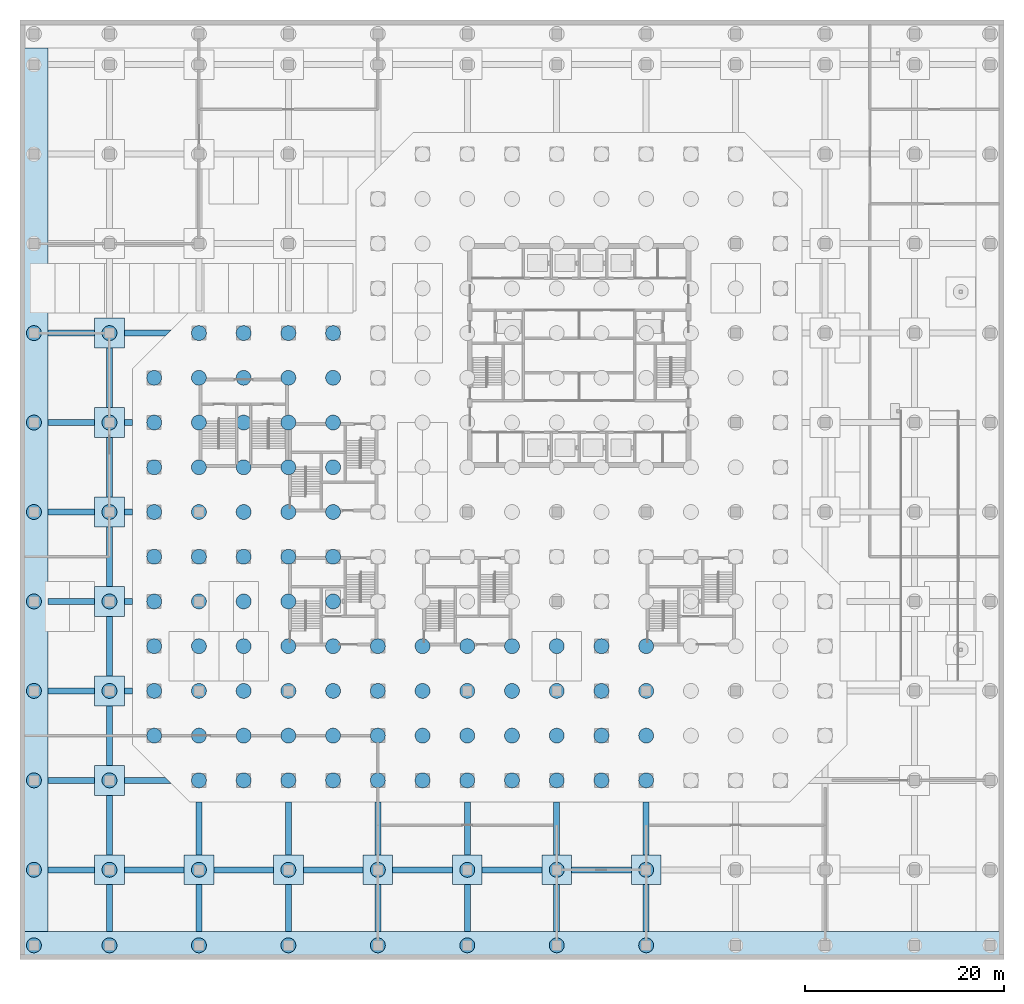
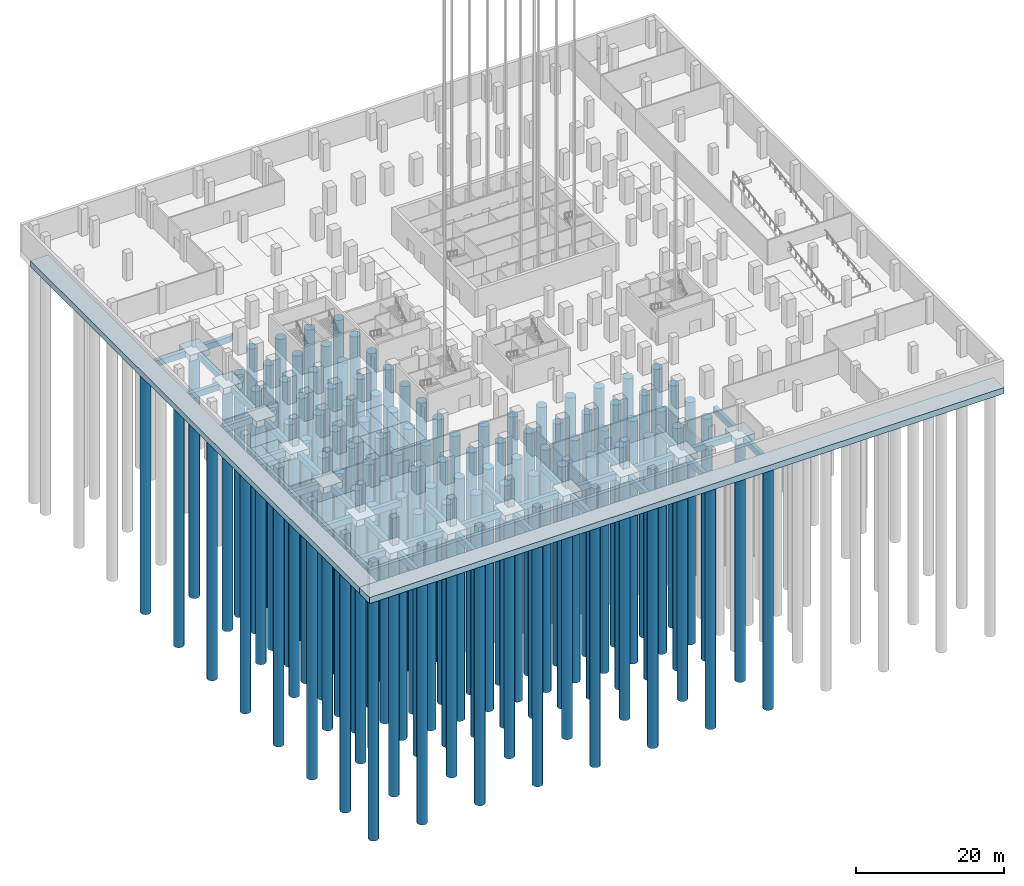
# One storey, part 1 of 37: 109 piles, 53 footings.
"""IFC4 building model written with IfcOpenShell, lengths in metres."""

from ifc_helpers import new_model, si_unit, direction, frame, origin, origin_2d, place, context, subcontext, project, spatial, polyline, rectangle, circle, outline, extrude, material, layer, layer_set, material_profile, profile_set, type_object, element, save


model = new_model("IFC4")

# Units and contexts
model_context = context("Model", 3, precision=1e-05, world=origin(), true_north=direction((0.0, 1.0)))
body_context = subcontext(model_context, "Body", "Model", "MODEL_VIEW")
ifc_project = project(units=[si_unit("LENGTHUNIT", "METRE"), si_unit("AREAUNIT", "SQUARE_METRE"), si_unit("VOLUMEUNIT", "CUBIC_METRE"), si_unit("PLANEANGLEUNIT", "RADIAN"), si_unit("MASSUNIT", "GRAM", prefix="KILO")], contexts=[model_context])

# Site, building, storey
site_placement = place(None, origin())
site = spatial("IfcSite", under=ifc_project, at=site_placement, CompositionType="ELEMENT")
building_placement = place(site_placement, origin())
building = spatial("IfcBuilding", under=site, at=building_placement, Name="Quoin Convention Tower", CompositionType="ELEMENT")
storey_placement = place(building_placement, frame((0.0, 0.0, -9.0)))
storey = spatial("IfcBuildingStorey", under=building, at=storey_placement, Name="B2", CompositionType="ELEMENT", Elevation=-9.0)

# Footings
ifc_material_1 = material(Name="Concrete C50", Category="concrete")
footing_type_1 = type_object("IfcFootingType", Name="PILE CAP 3000x3000x1000 C50", PredefinedType="PILE_CAP", material=ifc_material_1)
for number, where, z_axis, x_axis, name in (
    (1, (9.0, 9.0, -1.39990234375), (0.0, 0.0, 1.0), (1.0, 0.0, 0.0), "ftg-pad-9000_9000"),
    (2, (9.0, 18.0, -1.39990234375), (0.0, 0.0, 1.0), (1.0, 0.0, 0.0), "ftg-pad-9000_18000"),
    (3, (9.0, 27.0, -1.39990234375), (0.0, 0.0, 1.0), (1.0, 0.0, 0.0), "ftg-pad-9000_27000"),
    (4, (9.0, 36.0, -1.39990234375), (0.0, 0.0, 1.0), (1.0, 0.0, 0.0), "ftg-pad-9000_36000"),
    (5, (9.0, 45.0, -1.39990234375), (0.0, 0.0, 1.0), (1.0, 0.0, 0.0), "ftg-pad-9000_45000"),
    (6, (9.0, 54.0, -1.39990234375), (0.0, 0.0, 1.0), (1.0, 0.0, 0.0), "ftg-pad-9000_54000"),
    (7, (9.0, 63.0, -1.39990234375), (0.0, 0.0, 1.0), (1.0, 0.0, 0.0), "ftg-pad-9000_63000"),
    (8, (18.0, 9.0, -1.39990234375), (0.0, 0.0, 1.0), (1.0, 0.0, 0.0), "ftg-pad-18000_9000"),
    (9, (27.0, 9.0, -1.39990234375), (0.0, 0.0, 1.0), (1.0, 0.0, 0.0), "ftg-pad-27000_9000"),
    (10, (36.0, 9.0, -1.39990234375), (0.0, 0.0, 1.0), (1.0, 0.0, 0.0), "ftg-pad-36000_9000"),
    (11, (45.0, 9.0, -1.39990234375), (0.0, 0.0, 1.0), (1.0, 0.0, 0.0), "ftg-pad-45000_9000"),
    (12, (54.0, 9.0, -1.39990234375), (0.0, 0.0, 1.0), (1.0, 0.0, 0.0), "ftg-pad-54000_9000"),
    (13, (63.0, 9.0, -1.39990234375), (0.0, 0.0, 1.0), (1.0, 0.0, 0.0), "ftg-pad-63000_9000"),
):
    element("IfcFooting", number, at=place(storey_placement, frame(where, z_axis=z_axis, x_axis=x_axis)), inside=storey, type_object=footing_type_1, Name=name, PredefinedType="PILE_CAP", context=body_context, shape_type="SweptSolid", body=[
        extrude(rectangle(XDim=3.0, YDim=3.0, at=origin_2d()), origin(), (0.0, 0.0, 1.0), 1.0),
    ])

# Piles
ifc_material_2 = material(Name="Concrete C40", Category="concrete")
ifc_material_profile = material_profile(ifc_material_2, circle(Radius=0.75, at=origin_2d()), Name="D1500")
ifc_profile_set = profile_set([ifc_material_profile], Name="Concrete C40")
pile_type = type_object("IfcPileType", Name="PILE D1500 C40", PredefinedType="BORED", material=ifc_profile_set)
for number, where, z_axis, x_axis, name in (
    (14, (13.5, 22.5, -3.39990234375), (0.0, 0.0, -1.0), (1.0, 0.0, 0.0), "pile-R13500_22500"),
    (15, (13.5, 27.0, -3.39990234375), (0.0, 0.0, -1.0), (1.0, 0.0, 0.0), "pile-R13500_27000"),
    (16, (13.5, 31.5, -3.39990234375), (0.0, 0.0, -1.0), (1.0, 0.0, 0.0), "pile-R13500_31500"),
    (17, (13.5, 36.0, -3.39990234375), (0.0, 0.0, -1.0), (1.0, 0.0, 0.0), "pile-R13500_36000"),
    (18, (13.5, 40.5, -3.39990234375), (0.0, 0.0, -1.0), (1.0, 0.0, 0.0), "pile-R13500_40500"),
    (19, (13.5, 45.0, -3.39990234375), (0.0, 0.0, -1.0), (1.0, 0.0, 0.0), "pile-R13500_45000"),
    (20, (13.5, 49.5, -3.39990234375), (0.0, 0.0, -1.0), (1.0, 0.0, 0.0), "pile-R13500_49500"),
    (21, (13.5, 54.0, -3.39990234375), (0.0, 0.0, -1.0), (1.0, 0.0, 0.0), "pile-R13500_54000"),
    (22, (13.5, 58.5, -3.39990234375), (0.0, 0.0, -1.0), (1.0, 0.0, 0.0), "pile-R13500_58500"),
    (23, (18.0, 18.0, -3.39990234375), (0.0, 0.0, -1.0), (1.0, 0.0, 0.0), "pile-R18000_18000"),
    (24, (18.0, 22.5, -3.39990234375), (0.0, 0.0, -1.0), (1.0, 0.0, 0.0), "pile-R18000_22500"),
    (25, (18.0, 27.0, -3.39990234375), (0.0, 0.0, -1.0), (1.0, 0.0, 0.0), "pile-R18000_27000"),
    (26, (18.0, 31.5, -3.39990234375), (0.0, 0.0, -1.0), (1.0, 0.0, 0.0), "pile-R18000_31500"),
    (27, (18.0, 36.0, -3.39990234375), (0.0, 0.0, -1.0), (1.0, 0.0, 0.0), "pile-R18000_36000"),
    (28, (18.0, 40.5, -3.39990234375), (0.0, 0.0, -1.0), (1.0, 0.0, 0.0), "pile-R18000_40500"),
    (29, (18.0, 45.0, -3.39990234375), (0.0, 0.0, -1.0), (1.0, 0.0, 0.0), "pile-R18000_45000"),
    (30, (18.0, 49.5, -3.39990234375), (0.0, 0.0, -1.0), (1.0, 0.0, 0.0), "pile-R18000_49500"),
    (31, (18.0, 54.0, -3.39990234375), (0.0, 0.0, -1.0), (1.0, 0.0, 0.0), "pile-R18000_54000"),
    (32, (18.0, 58.5, -3.39990234375), (0.0, 0.0, -1.0), (1.0, 0.0, 0.0), "pile-R18000_58500"),
    (33, (18.0, 63.0, -3.39990234375), (0.0, 0.0, -1.0), (1.0, 0.0, 0.0), "pile-R18000_63000"),
    (34, (22.5, 18.0, -3.39990234375), (0.0, 0.0, -1.0), (1.0, 0.0, 0.0), "pile-R22500_18000"),
    (35, (22.5, 22.5, -3.39990234375), (0.0, 0.0, -1.0), (1.0, 0.0, 0.0), "pile-R22500_22500"),
    (36, (22.5, 27.0, -3.39990234375), (0.0, 0.0, -1.0), (1.0, 0.0, 0.0), "pile-R22500_27000"),
    (37, (22.5, 31.5, -3.39990234375), (0.0, 0.0, -1.0), (1.0, 0.0, 0.0), "pile-R22500_31500"),
    (38, (22.5, 36.0, -3.39990234375), (0.0, 0.0, -1.0), (1.0, 0.0, 0.0), "pile-R22500_36000"),
    (39, (22.5, 40.5, -3.39990234375), (0.0, 0.0, -1.0), (1.0, 0.0, 0.0), "pile-R22500_40500"),
    (40, (22.5, 45.0, -3.39990234375), (0.0, 0.0, -1.0), (1.0, 0.0, 0.0), "pile-R22500_45000"),
    (41, (22.5, 49.5, -3.39990234375), (0.0, 0.0, -1.0), (1.0, 0.0, 0.0), "pile-R22500_49500"),
    (42, (22.5, 54.0, -3.39990234375), (0.0, 0.0, -1.0), (1.0, 0.0, 0.0), "pile-R22500_54000"),
    (43, (22.5, 58.5, -3.39990234375), (0.0, 0.0, -1.0), (1.0, 0.0, 0.0), "pile-R22500_58500"),
    (44, (22.5, 63.0, -3.39990234375), (0.0, 0.0, -1.0), (1.0, 0.0, 0.0), "pile-R22500_63000"),
    (45, (27.0, 18.0, -3.39990234375), (0.0, 0.0, -1.0), (1.0, 0.0, 0.0), "pile-R27000_18000"),
    (46, (27.0, 22.5, -3.39990234375), (0.0, 0.0, -1.0), (1.0, 0.0, 0.0), "pile-R27000_22500"),
    (47, (27.0, 27.0, -3.39990234375), (0.0, 0.0, -1.0), (1.0, 0.0, 0.0), "pile-R27000_27000"),
    (48, (27.0, 31.5, -3.39990234375), (0.0, 0.0, -1.0), (1.0, 0.0, 0.0), "pile-R27000_31500"),
    (49, (27.0, 36.0, -3.39990234375), (0.0, 0.0, -1.0), (1.0, 0.0, 0.0), "pile-R27000_36000"),
    (50, (27.0, 40.5, -3.39990234375), (0.0, 0.0, -1.0), (1.0, 0.0, 0.0), "pile-R27000_40500"),
    (51, (27.0, 45.0, -3.39990234375), (0.0, 0.0, -1.0), (1.0, 0.0, 0.0), "pile-R27000_45000"),
    (52, (27.0, 49.5, -3.39990234375), (0.0, 0.0, -1.0), (1.0, 0.0, 0.0), "pile-R27000_49500"),
    (53, (27.0, 54.0, -3.39990234375), (0.0, 0.0, -1.0), (1.0, 0.0, 0.0), "pile-R27000_54000"),
    (54, (27.0, 58.5, -3.39990234375), (0.0, 0.0, -1.0), (1.0, 0.0, 0.0), "pile-R27000_58500"),
    (55, (27.0, 63.0, -3.39990234375), (0.0, 0.0, -1.0), (1.0, 0.0, 0.0), "pile-R27000_63000"),
    (56, (31.5, 18.0, -3.39990234375), (0.0, 0.0, -1.0), (1.0, 0.0, 0.0), "pile-R31500_18000"),
    (57, (31.5, 22.5, -3.39990234375), (0.0, 0.0, -1.0), (1.0, 0.0, 0.0), "pile-R31500_22500"),
    (58, (31.5, 27.0, -3.39990234375), (0.0, 0.0, -1.0), (1.0, 0.0, 0.0), "pile-R31500_27000"),
    (59, (31.5, 31.5, -3.39990234375), (0.0, 0.0, -1.0), (1.0, 0.0, 0.0), "pile-R31500_31500"),
    (60, (31.5, 36.0, -3.39990234375), (0.0, 0.0, -1.0), (1.0, 0.0, 0.0), "pile-R31500_36000"),
    (61, (31.5, 40.5, -3.39990234375), (0.0, 0.0, -1.0), (1.0, 0.0, 0.0), "pile-R31500_40500"),
    (62, (31.5, 45.0, -3.39990234375), (0.0, 0.0, -1.0), (1.0, 0.0, 0.0), "pile-R31500_45000"),
    (63, (31.5, 49.5, -3.39990234375), (0.0, 0.0, -1.0), (1.0, 0.0, 0.0), "pile-R31500_49500"),
    (64, (31.5, 54.0, -3.39990234375), (0.0, 0.0, -1.0), (1.0, 0.0, 0.0), "pile-R31500_54000"),
    (65, (31.5, 58.5, -3.39990234375), (0.0, 0.0, -1.0), (1.0, 0.0, 0.0), "pile-R31500_58500"),
    (66, (31.5, 63.0, -3.39990234375), (0.0, 0.0, -1.0), (1.0, 0.0, 0.0), "pile-R31500_63000"),
    (67, (36.0, 18.0, -3.39990234375), (0.0, 0.0, -1.0), (1.0, 0.0, 0.0), "pile-R36000_18000"),
    (68, (36.0, 22.5, -3.39990234375), (0.0, 0.0, -1.0), (1.0, 0.0, 0.0), "pile-R36000_22500"),
    (69, (36.0, 27.0, -3.39990234375), (0.0, 0.0, -1.0), (1.0, 0.0, 0.0), "pile-R36000_27000"),
    (70, (36.0, 31.5, -3.39990234375), (0.0, 0.0, -1.0), (1.0, 0.0, 0.0), "pile-R36000_31500"),
    (71, (40.5, 18.0, -3.39990234375), (0.0, 0.0, -1.0), (1.0, 0.0, 0.0), "pile-R40500_18000"),
    (72, (40.5, 22.5, -3.39990234375), (0.0, 0.0, -1.0), (1.0, 0.0, 0.0), "pile-R40500_22500"),
    (73, (40.5, 27.0, -3.39990234375), (0.0, 0.0, -1.0), (1.0, 0.0, 0.0), "pile-R40500_27000"),
    (74, (40.5, 31.5, -3.39990234375), (0.0, 0.0, -1.0), (1.0, 0.0, 0.0), "pile-R40500_31500"),
    (75, (45.0, 18.0, -3.39990234375), (0.0, 0.0, -1.0), (1.0, 0.0, 0.0), "pile-R45000_18000"),
    (76, (45.0, 22.5, -3.39990234375), (0.0, 0.0, -1.0), (1.0, 0.0, 0.0), "pile-R45000_22500"),
    (77, (45.0, 27.0, -3.39990234375), (0.0, 0.0, -1.0), (1.0, 0.0, 0.0), "pile-R45000_27000"),
    (78, (45.0, 31.5, -3.39990234375), (0.0, 0.0, -1.0), (1.0, 0.0, 0.0), "pile-R45000_31500"),
    (79, (49.5, 18.0, -3.39990234375), (0.0, 0.0, -1.0), (1.0, 0.0, 0.0), "pile-R49500_18000"),
    (80, (49.5, 22.5, -3.39990234375), (0.0, 0.0, -1.0), (1.0, 0.0, 0.0), "pile-R49500_22500"),
    (81, (49.5, 27.0, -3.39990234375), (0.0, 0.0, -1.0), (1.0, 0.0, 0.0), "pile-R49500_27000"),
    (82, (49.5, 31.5, -3.39990234375), (0.0, 0.0, -1.0), (1.0, 0.0, 0.0), "pile-R49500_31500"),
    (83, (54.0, 18.0, -3.39990234375), (0.0, 0.0, -1.0), (1.0, 0.0, 0.0), "pile-R54000_18000"),
    (84, (54.0, 22.5, -3.39990234375), (0.0, 0.0, -1.0), (1.0, 0.0, 0.0), "pile-R54000_22500"),
    (85, (54.0, 27.0, -3.39990234375), (0.0, 0.0, -1.0), (1.0, 0.0, 0.0), "pile-R54000_27000"),
    (86, (54.0, 31.5, -3.39990234375), (0.0, 0.0, -1.0), (1.0, 0.0, 0.0), "pile-R54000_31500"),
    (87, (58.5, 18.0, -3.39990234375), (0.0, 0.0, -1.0), (1.0, 0.0, 0.0), "pile-R58500_18000"),
    (88, (58.5, 22.5, -3.39990234375), (0.0, 0.0, -1.0), (1.0, 0.0, 0.0), "pile-R58500_22500"),
    (89, (58.5, 27.0, -3.39990234375), (0.0, 0.0, -1.0), (1.0, 0.0, 0.0), "pile-R58500_27000"),
    (90, (58.5, 31.5, -3.39990234375), (0.0, 0.0, -1.0), (1.0, 0.0, 0.0), "pile-R58500_31500"),
    (91, (63.0, 18.0, -3.39990234375), (0.0, 0.0, -1.0), (1.0, 0.0, 0.0), "pile-R63000_18000"),
    (92, (63.0, 22.5, -3.39990234375), (0.0, 0.0, -1.0), (1.0, 0.0, 0.0), "pile-R63000_22500"),
    (93, (63.0, 27.0, -3.39990234375), (0.0, 0.0, -1.0), (1.0, 0.0, 0.0), "pile-R63000_27000"),
    (94, (63.0, 31.5, -3.39990234375), (0.0, 0.0, -1.0), (1.0, 0.0, 0.0), "pile-R63000_31500"),
    (95, (1.39990234375, 1.39990234375, -1.39990234375), (0.0, 0.0, -1.0), (1.0, 0.0, 0.0), "pile-E1400_1400"),
    (96, (9.0, 1.39990234375, -1.39990234375), (0.0, 0.0, -1.0), (1.0, 0.0, 0.0), "pile-E9000_1400"),
    (97, (18.0, 1.39990234375, -1.39990234375), (0.0, 0.0, -1.0), (1.0, 0.0, 0.0), "pile-E18000_1400"),
    (98, (27.0, 1.39990234375, -1.39990234375), (0.0, 0.0, -1.0), (1.0, 0.0, 0.0), "pile-E27000_1400"),
    (99, (36.0, 1.39990234375, -1.39990234375), (0.0, 0.0, -1.0), (1.0, 0.0, 0.0), "pile-E36000_1400"),
    (100, (45.0, 1.39990234375, -1.39990234375), (0.0, 0.0, -1.0), (1.0, 0.0, 0.0), "pile-E45000_1400"),
    (101, (54.0, 1.39990234375, -1.39990234375), (0.0, 0.0, -1.0), (1.0, 0.0, 0.0), "pile-E54000_1400"),
    (102, (63.0, 1.39990234375, -1.39990234375), (0.0, 0.0, -1.0), (1.0, 0.0, 0.0), "pile-E63000_1400"),
    (103, (1.39990234375, 9.0, -1.39990234375), (0.0, 0.0, -1.0), (1.0, 0.0, 0.0), "pile-E1400_9000"),
    (104, (1.39990234375, 18.0, -1.39990234375), (0.0, 0.0, -1.0), (1.0, 0.0, 0.0), "pile-E1400_18000"),
    (105, (1.39990234375, 27.0, -1.39990234375), (0.0, 0.0, -1.0), (1.0, 0.0, 0.0), "pile-E1400_27000"),
    (106, (1.39990234375, 36.0, -1.39990234375), (0.0, 0.0, -1.0), (1.0, 0.0, 0.0), "pile-E1400_36000"),
    (107, (1.39990234375, 45.0, -1.39990234375), (0.0, 0.0, -1.0), (1.0, 0.0, 0.0), "pile-E1400_45000"),
    (108, (1.39990234375, 54.0, -1.39990234375), (0.0, 0.0, -1.0), (1.0, 0.0, 0.0), "pile-E1400_54000"),
    (109, (1.39990234375, 63.0, -1.39990234375), (0.0, 0.0, -1.0), (1.0, 0.0, 0.0), "pile-E1400_63000"),
    (110, (9.0, 9.0, -1.39990234375), (0.0, 0.0, -1.0), (1.0, 0.0, 0.0), "pile-P9000_9000"),
    (111, (9.0, 18.0, -1.39990234375), (0.0, 0.0, -1.0), (1.0, 0.0, 0.0), "pile-P9000_18000"),
    (112, (9.0, 27.0, -1.39990234375), (0.0, 0.0, -1.0), (1.0, 0.0, 0.0), "pile-P9000_27000"),
    (113, (9.0, 36.0, -1.39990234375), (0.0, 0.0, -1.0), (1.0, 0.0, 0.0), "pile-P9000_36000"),
    (114, (9.0, 45.0, -1.39990234375), (0.0, 0.0, -1.0), (1.0, 0.0, 0.0), "pile-P9000_45000"),
    (115, (9.0, 54.0, -1.39990234375), (0.0, 0.0, -1.0), (1.0, 0.0, 0.0), "pile-P9000_54000"),
    (116, (9.0, 63.0, -1.39990234375), (0.0, 0.0, -1.0), (1.0, 0.0, 0.0), "pile-P9000_63000"),
    (117, (18.0, 9.0, -1.39990234375), (0.0, 0.0, -1.0), (1.0, 0.0, 0.0), "pile-P18000_9000"),
    (118, (27.0, 9.0, -1.39990234375), (0.0, 0.0, -1.0), (1.0, 0.0, 0.0), "pile-P27000_9000"),
    (119, (36.0, 9.0, -1.39990234375), (0.0, 0.0, -1.0), (1.0, 0.0, 0.0), "pile-P36000_9000"),
    (120, (45.0, 9.0, -1.39990234375), (0.0, 0.0, -1.0), (1.0, 0.0, 0.0), "pile-P45000_9000"),
    (121, (54.0, 9.0, -1.39990234375), (0.0, 0.0, -1.0), (1.0, 0.0, 0.0), "pile-P54000_9000"),
    (122, (63.0, 9.0, -1.39990234375), (0.0, 0.0, -1.0), (1.0, 0.0, 0.0), "pile-P63000_9000"),
):
    element("IfcPile", number, at=place(storey_placement, frame(where, z_axis=z_axis, x_axis=x_axis)), inside=storey, type_object=pile_type, Name=name, PredefinedType="BORED", context=body_context, shape_type="SweptSolid", body=[
        extrude(circle(Radius=0.75, at=origin_2d()), origin(), (0.0, 0.0, 1.0), 40.0),
    ])

# Footings
ifc_layer_1 = layer(ifc_material_1, 1.0)
ifc_layer_set_1 = layer_set([ifc_layer_1], Name="Concrete C50")
footing_type_2 = type_object("IfcFootingType", Name="STRIP FOOTING 2800 C50", PredefinedType="STRIP_FOOTING", material=ifc_layer_set_1)
footing_1_placement = place(storey_placement, frame((0.0, 0.0, -1.39990234375)))
element("IfcFooting", 123, at=footing_1_placement, inside=storey, type_object=footing_type_2, Name="ftg-strip-S", PredefinedType="STRIP_FOOTING", context=body_context, shape_type="SweptSolid", body=[
    extrude(outline(polyline([(0.0, 0.0), (99.0, 0.0), (99.0, 2.800048828125), (0.0, 2.800048828125), (0.0, 0.0)])), origin(), (0.0, 0.0, 1.0), 1.0),
])
footing_2_placement = place(storey_placement, frame((0.0, 0.0, -1.39990234375)))
element("IfcFooting", 124, at=footing_2_placement, inside=storey, type_object=footing_type_2, Name="ftg-strip-W", PredefinedType="STRIP_FOOTING", context=body_context, shape_type="SweptSolid", body=[
    extrude(outline(polyline([(0.0, 2.800048828125), (2.800048828125, 2.800048828125), (2.800048828125, 91.699951171875), (0.0, 91.699951171875), (0.0, 2.800048828125)])), origin(), (0.0, 0.0, 1.0), 1.0),
])
ifc_layer_2 = layer(ifc_material_1, 1.0)
ifc_layer_set_2 = layer_set([ifc_layer_2], Name="Concrete C50")
footing_type_3 = type_object("IfcFootingType", Name="TIE FOOTING 600 C50", PredefinedType="STRIP_FOOTING", material=ifc_layer_set_2)
footing_3_placement = place(storey_placement, frame((0.0, 0.0, -1.39990234375)))
element("IfcFooting", 125, at=footing_3_placement, inside=storey, type_object=footing_type_3, Name="ftg-tie-58500_9000", PredefinedType="STRIP_FOOTING", context=body_context, shape_type="SweptSolid", body=[
    extrude(outline(polyline([(61.5, 9.300048828125), (61.5, 8.699951171875), (55.5, 8.699951171875), (55.5, 9.300048828125), (61.5, 9.300048828125)])), origin(), (0.0, 0.0, 1.0), 1.0),
])
footing_4_placement = place(storey_placement, frame((0.0, 0.0, -1.39990234375)))
element("IfcFooting", 126, at=footing_4_placement, inside=storey, type_object=footing_type_3, Name="ftg-tie-49500_9000", PredefinedType="STRIP_FOOTING", context=body_context, shape_type="SweptSolid", body=[
    extrude(outline(polyline([(52.5, 9.300048828125), (52.5, 8.699951171875), (46.5, 8.699951171875), (46.5, 9.300048828125), (52.5, 9.300048828125)])), origin(), (0.0, 0.0, 1.0), 1.0),
])
footing_5_placement = place(storey_placement, frame((0.0, 0.0, -1.39990234375)))
element("IfcFooting", 127, at=footing_5_placement, inside=storey, type_object=footing_type_3, Name="ftg-tie-40500_9000", PredefinedType="STRIP_FOOTING", context=body_context, shape_type="SweptSolid", body=[
    extrude(outline(polyline([(43.5, 9.300048828125), (43.5, 8.699951171875), (37.5, 8.699951171875), (37.5, 9.300048828125), (43.5, 9.300048828125)])), origin(), (0.0, 0.0, 1.0), 1.0),
])
footing_6_placement = place(storey_placement, frame((0.0, 0.0, -1.39990234375)))
element("IfcFooting", 128, at=footing_6_placement, inside=storey, type_object=footing_type_3, Name="ftg-tie-31500_9000", PredefinedType="STRIP_FOOTING", context=body_context, shape_type="SweptSolid", body=[
    extrude(outline(polyline([(34.5, 9.300048828125), (34.5, 8.699951171875), (28.5, 8.699951171875), (28.5, 9.300048828125), (34.5, 9.300048828125)])), origin(), (0.0, 0.0, 1.0), 1.0),
])
footing_7_placement = place(storey_placement, frame((0.0, 0.0, -1.39990234375)))
element("IfcFooting", 129, at=footing_7_placement, inside=storey, type_object=footing_type_3, Name="ftg-tie-22500_9000", PredefinedType="STRIP_FOOTING", context=body_context, shape_type="SweptSolid", body=[
    extrude(outline(polyline([(25.5, 9.300048828125), (25.5, 8.699951171875), (19.5, 8.699951171875), (19.5, 9.300048828125), (25.5, 9.300048828125)])), origin(), (0.0, 0.0, 1.0), 1.0),
])
footing_8_placement = place(storey_placement, frame((0.0, 0.0, -1.39990234375)))
element("IfcFooting", 130, at=footing_8_placement, inside=storey, type_object=footing_type_3, Name="ftg-tie-13500_9000", PredefinedType="STRIP_FOOTING", context=body_context, shape_type="SweptSolid", body=[
    extrude(outline(polyline([(16.5, 9.300048828125), (16.5, 8.699951171875), (10.5, 8.699951171875), (10.5, 9.300048828125), (16.5, 9.300048828125)])), origin(), (0.0, 0.0, 1.0), 1.0),
])
footing_9_placement = place(storey_placement, frame((0.0, 0.0, -1.39990234375)))
element("IfcFooting", 131, at=footing_9_placement, inside=storey, type_object=footing_type_3, Name="ftg-tie-5150_9000", PredefinedType="STRIP_FOOTING", context=body_context, shape_type="SweptSolid", body=[
    extrude(outline(polyline([(7.5, 9.300048828125), (7.5, 8.699951171875), (2.800048828125, 8.699951171875), (2.800048828125, 9.300048828125), (7.5, 9.300048828125)])), origin(), (0.0, 0.0, 1.0), 1.0),
])
footing_10_placement = place(storey_placement, frame((0.0, 0.0, -1.39990234375)))
element("IfcFooting", 132, at=footing_10_placement, inside=storey, type_object=footing_type_3, Name="ftg-tie-9000_5150", PredefinedType="STRIP_FOOTING", context=body_context, shape_type="SweptSolid", body=[
    extrude(outline(polyline([(9.300048828125, 7.5), (9.300048828125, 2.800048828125), (8.699951171875, 2.800048828125), (8.699951171875, 7.5), (9.300048828125, 7.5)])), origin(), (0.0, 0.0, 1.0), 1.0),
])
footing_11_placement = place(storey_placement, frame((0.0, 0.0, -1.39990234375)))
element("IfcFooting", 133, at=footing_11_placement, inside=storey, type_object=footing_type_3, Name="ftg-tie-9000_13500", PredefinedType="STRIP_FOOTING", context=body_context, shape_type="SweptSolid", body=[
    extrude(outline(polyline([(9.300048828125, 16.5), (9.300048828125, 10.5), (8.699951171875, 10.5), (8.699951171875, 16.5), (9.300048828125, 16.5)])), origin(), (0.0, 0.0, 1.0), 1.0),
])
footing_12_placement = place(storey_placement, frame((0.0, 0.0, -1.39990234375)))
element("IfcFooting", 134, at=footing_12_placement, inside=storey, type_object=footing_type_3, Name="ftg-tie-9000_22500", PredefinedType="STRIP_FOOTING", context=body_context, shape_type="SweptSolid", body=[
    extrude(outline(polyline([(9.300048828125, 25.5), (9.300048828125, 19.5), (8.699951171875, 19.5), (8.699951171875, 25.5), (9.300048828125, 25.5)])), origin(), (0.0, 0.0, 1.0), 1.0),
])
footing_13_placement = place(storey_placement, frame((0.0, 0.0, -1.39990234375)))
element("IfcFooting", 135, at=footing_13_placement, inside=storey, type_object=footing_type_3, Name="ftg-tie-9000_31500", PredefinedType="STRIP_FOOTING", context=body_context, shape_type="SweptSolid", body=[
    extrude(outline(polyline([(9.300048828125, 34.5), (9.300048828125, 28.5), (8.699951171875, 28.5), (8.699951171875, 34.5), (9.300048828125, 34.5)])), origin(), (0.0, 0.0, 1.0), 1.0),
])
footing_14_placement = place(storey_placement, frame((0.0, 0.0, -1.39990234375)))
element("IfcFooting", 136, at=footing_14_placement, inside=storey, type_object=footing_type_3, Name="ftg-tie-9000_40500", PredefinedType="STRIP_FOOTING", context=body_context, shape_type="SweptSolid", body=[
    extrude(outline(polyline([(9.300048828125, 43.5), (9.300048828125, 37.5), (8.699951171875, 37.5), (8.699951171875, 43.5), (9.300048828125, 43.5)])), origin(), (0.0, 0.0, 1.0), 1.0),
])
footing_15_placement = place(storey_placement, frame((0.0, 0.0, -1.39990234375)))
element("IfcFooting", 137, at=footing_15_placement, inside=storey, type_object=footing_type_3, Name="ftg-tie-9000_49500", PredefinedType="STRIP_FOOTING", context=body_context, shape_type="SweptSolid", body=[
    extrude(outline(polyline([(9.300048828125, 52.5), (9.300048828125, 46.5), (8.699951171875, 46.5), (8.699951171875, 52.5), (9.300048828125, 52.5)])), origin(), (0.0, 0.0, 1.0), 1.0),
])
footing_16_placement = place(storey_placement, frame((0.0, 0.0, -1.39990234375)))
element("IfcFooting", 138, at=footing_16_placement, inside=storey, type_object=footing_type_3, Name="ftg-tie-9000_58500", PredefinedType="STRIP_FOOTING", context=body_context, shape_type="SweptSolid", body=[
    extrude(outline(polyline([(9.300048828125, 61.5), (9.300048828125, 55.5), (8.699951171875, 55.5), (8.699951171875, 61.5), (9.300048828125, 61.5)])), origin(), (0.0, 0.0, 1.0), 1.0),
])
footing_17_placement = place(storey_placement, frame((0.0, 0.0, -1.39990234375)))
element("IfcFooting", 139, at=footing_17_placement, inside=storey, type_object=footing_type_3, Name="ftg-tie-12698_17993", PredefinedType="STRIP_FOOTING", context=body_context, shape_type="SweptSolid", body=[
    extrude(outline(polyline([(15.188720703125, 17.699951171875), (10.5, 17.699951171875), (10.5, 18.300048828125), (14.588623046875, 18.300048828125), (15.188720703125, 17.699951171875)])), origin(), (0.0, 0.0, 1.0), 1.0),
])
footing_18_placement = place(storey_placement, frame((0.0, 0.0, -1.39990234375)))
element("IfcFooting", 140, at=footing_18_placement, inside=storey, type_object=footing_type_3, Name="ftg-tie-5150_18000", PredefinedType="STRIP_FOOTING", context=body_context, shape_type="SweptSolid", body=[
    extrude(outline(polyline([(7.5, 17.699951171875), (2.800048828125, 17.699951171875), (2.800048828125, 18.300048828125), (7.5, 18.300048828125), (7.5, 17.699951171875)])), origin(), (0.0, 0.0, 1.0), 1.0),
])
footing_19_placement = place(storey_placement, frame((0.0, 0.0, -1.39990234375)))
element("IfcFooting", 141, at=footing_19_placement, inside=storey, type_object=footing_type_3, Name="ftg-tie-18000_5150", PredefinedType="STRIP_FOOTING", context=body_context, shape_type="SweptSolid", body=[
    extrude(outline(polyline([(17.699951171875, 2.800048828125), (17.699951171875, 7.5), (18.300048828125, 7.5), (18.300048828125, 2.800048828125), (17.699951171875, 2.800048828125)])), origin(), (0.0, 0.0, 1.0), 1.0),
])
footing_20_placement = place(storey_placement, frame((0.0, 0.0, -1.39990234375)))
element("IfcFooting", 142, at=footing_20_placement, inside=storey, type_object=footing_type_3, Name="ftg-tie-18000_13150", PredefinedType="STRIP_FOOTING", context=body_context, shape_type="SweptSolid", body=[
    extrude(outline(polyline([(17.699951171875, 10.5), (17.699951171875, 15.800048828125), (18.300048828125, 15.800048828125), (18.300048828125, 10.5), (17.699951171875, 10.5)])), origin(), (0.0, 0.0, 1.0), 1.0),
])
footing_21_placement = place(storey_placement, frame((0.0, 0.0, -1.39990234375)))
element("IfcFooting", 143, at=footing_21_placement, inside=storey, type_object=footing_type_3, Name="ftg-tie-10900_27000", PredefinedType="STRIP_FOOTING", context=body_context, shape_type="SweptSolid", body=[
    extrude(outline(polyline([(10.5, 26.699951171875), (10.5, 27.300048828125), (11.300048828125, 27.300048828125), (11.300048828125, 26.699951171875), (10.5, 26.699951171875)])), origin(), (0.0, 0.0, 1.0), 1.0),
])
footing_22_placement = place(storey_placement, frame((0.0, 0.0, -1.39990234375)))
element("IfcFooting", 144, at=footing_22_placement, inside=storey, type_object=footing_type_3, Name="ftg-tie-5150_27000", PredefinedType="STRIP_FOOTING", context=body_context, shape_type="SweptSolid", body=[
    extrude(outline(polyline([(2.800048828125, 26.699951171875), (2.800048828125, 27.300048828125), (7.5, 27.300048828125), (7.5, 26.699951171875), (2.800048828125, 26.699951171875)])), origin(), (0.0, 0.0, 1.0), 1.0),
])
footing_23_placement = place(storey_placement, frame((0.0, 0.0, -1.39990234375)))
element("IfcFooting", 145, at=footing_23_placement, inside=storey, type_object=footing_type_3, Name="ftg-tie-27000_5150", PredefinedType="STRIP_FOOTING", context=body_context, shape_type="SweptSolid", body=[
    extrude(outline(polyline([(26.699951171875, 7.5), (27.300048828125, 7.5), (27.300048828125, 2.800048828125), (26.699951171875, 2.800048828125), (26.699951171875, 7.5)])), origin(), (0.0, 0.0, 1.0), 1.0),
])
footing_24_placement = place(storey_placement, frame((0.0, 0.0, -1.39990234375)))
element("IfcFooting", 146, at=footing_24_placement, inside=storey, type_object=footing_type_3, Name="ftg-tie-27000_13150", PredefinedType="STRIP_FOOTING", context=body_context, shape_type="SweptSolid", body=[
    extrude(outline(polyline([(26.699951171875, 15.800048828125), (27.300048828125, 15.800048828125), (27.300048828125, 10.5), (26.699951171875, 10.5), (26.699951171875, 15.800048828125)])), origin(), (0.0, 0.0, 1.0), 1.0),
])
footing_25_placement = place(storey_placement, frame((0.0, 0.0, -1.39990234375)))
element("IfcFooting", 147, at=footing_25_placement, inside=storey, type_object=footing_type_3, Name="ftg-tie-10900_36000", PredefinedType="STRIP_FOOTING", context=body_context, shape_type="SweptSolid", body=[
    extrude(outline(polyline([(10.5, 36.300048828125), (11.300048828125, 36.300048828125), (11.300048828125, 35.699951171875), (10.5, 35.699951171875), (10.5, 36.300048828125)])), origin(), (0.0, 0.0, 1.0), 1.0),
])
footing_26_placement = place(storey_placement, frame((0.0, 0.0, -1.39990234375)))
element("IfcFooting", 148, at=footing_26_placement, inside=storey, type_object=footing_type_3, Name="ftg-tie-5150_36000", PredefinedType="STRIP_FOOTING", context=body_context, shape_type="SweptSolid", body=[
    extrude(outline(polyline([(2.800048828125, 36.300048828125), (7.5, 36.300048828125), (7.5, 35.699951171875), (2.800048828125, 35.699951171875), (2.800048828125, 36.300048828125)])), origin(), (0.0, 0.0, 1.0), 1.0),
])
footing_27_placement = place(storey_placement, frame((0.0, 0.0, -1.39990234375)))
element("IfcFooting", 149, at=footing_27_placement, inside=storey, type_object=footing_type_3, Name="ftg-tie-36000_5150", PredefinedType="STRIP_FOOTING", context=body_context, shape_type="SweptSolid", body=[
    extrude(outline(polyline([(36.300048828125, 7.5), (36.300048828125, 2.800048828125), (35.699951171875, 2.800048828125), (35.699951171875, 7.5), (36.300048828125, 7.5)])), origin(), (0.0, 0.0, 1.0), 1.0),
])
footing_28_placement = place(storey_placement, frame((0.0, 0.0, -1.39990234375)))
element("IfcFooting", 150, at=footing_28_placement, inside=storey, type_object=footing_type_3, Name="ftg-tie-36000_13150", PredefinedType="STRIP_FOOTING", context=body_context, shape_type="SweptSolid", body=[
    extrude(outline(polyline([(36.300048828125, 15.800048828125), (36.300048828125, 10.5), (35.699951171875, 10.5), (35.699951171875, 15.800048828125), (36.300048828125, 15.800048828125)])), origin(), (0.0, 0.0, 1.0), 1.0),
])
footing_29_placement = place(storey_placement, frame((0.0, 0.0, -1.39990234375)))
element("IfcFooting", 151, at=footing_29_placement, inside=storey, type_object=footing_type_3, Name="ftg-tie-10900_45000", PredefinedType="STRIP_FOOTING", context=body_context, shape_type="SweptSolid", body=[
    extrude(outline(polyline([(10.5, 44.699951171875), (10.5, 45.300048828125), (11.300048828125, 45.300048828125), (11.300048828125, 44.699951171875), (10.5, 44.699951171875)])), origin(), (0.0, 0.0, 1.0), 1.0),
])
footing_30_placement = place(storey_placement, frame((0.0, 0.0, -1.39990234375)))
element("IfcFooting", 152, at=footing_30_placement, inside=storey, type_object=footing_type_3, Name="ftg-tie-5150_45000", PredefinedType="STRIP_FOOTING", context=body_context, shape_type="SweptSolid", body=[
    extrude(outline(polyline([(2.800048828125, 44.699951171875), (2.800048828125, 45.300048828125), (7.5, 45.300048828125), (7.5, 44.699951171875), (2.800048828125, 44.699951171875)])), origin(), (0.0, 0.0, 1.0), 1.0),
])
footing_31_placement = place(storey_placement, frame((0.0, 0.0, -1.39990234375)))
element("IfcFooting", 153, at=footing_31_placement, inside=storey, type_object=footing_type_3, Name="ftg-tie-45000_5150", PredefinedType="STRIP_FOOTING", context=body_context, shape_type="SweptSolid", body=[
    extrude(outline(polyline([(45.300048828125, 7.5), (45.300048828125, 2.800048828125), (44.699951171875, 2.800048828125), (44.699951171875, 7.5), (45.300048828125, 7.5)])), origin(), (0.0, 0.0, 1.0), 1.0),
])
footing_32_placement = place(storey_placement, frame((0.0, 0.0, -1.39990234375)))
element("IfcFooting", 154, at=footing_32_placement, inside=storey, type_object=footing_type_3, Name="ftg-tie-45000_13150", PredefinedType="STRIP_FOOTING", context=body_context, shape_type="SweptSolid", body=[
    extrude(outline(polyline([(45.300048828125, 15.800048828125), (45.300048828125, 10.5), (44.699951171875, 10.5), (44.699951171875, 15.800048828125), (45.300048828125, 15.800048828125)])), origin(), (0.0, 0.0, 1.0), 1.0),
])
footing_33_placement = place(storey_placement, frame((0.0, 0.0, -1.39990234375)))
element("IfcFooting", 155, at=footing_33_placement, inside=storey, type_object=footing_type_3, Name="ftg-tie-10900_54000", PredefinedType="STRIP_FOOTING", context=body_context, shape_type="SweptSolid", body=[
    extrude(outline(polyline([(10.5, 53.699951171875), (10.5, 54.300048828125), (11.300048828125, 54.300048828125), (11.300048828125, 53.699951171875), (10.5, 53.699951171875)])), origin(), (0.0, 0.0, 1.0), 1.0),
])
footing_34_placement = place(storey_placement, frame((0.0, 0.0, -1.39990234375)))
element("IfcFooting", 156, at=footing_34_placement, inside=storey, type_object=footing_type_3, Name="ftg-tie-5150_54000", PredefinedType="STRIP_FOOTING", context=body_context, shape_type="SweptSolid", body=[
    extrude(outline(polyline([(2.800048828125, 53.699951171875), (2.800048828125, 54.300048828125), (7.5, 54.300048828125), (7.5, 53.699951171875), (2.800048828125, 53.699951171875)])), origin(), (0.0, 0.0, 1.0), 1.0),
])
footing_35_placement = place(storey_placement, frame((0.0, 0.0, -1.39990234375)))
element("IfcFooting", 157, at=footing_35_placement, inside=storey, type_object=footing_type_3, Name="ftg-tie-54000_5150", PredefinedType="STRIP_FOOTING", context=body_context, shape_type="SweptSolid", body=[
    extrude(outline(polyline([(54.300048828125, 7.5), (54.300048828125, 2.800048828125), (53.699951171875, 2.800048828125), (53.699951171875, 7.5), (54.300048828125, 7.5)])), origin(), (0.0, 0.0, 1.0), 1.0),
])
footing_36_placement = place(storey_placement, frame((0.0, 0.0, -1.39990234375)))
element("IfcFooting", 158, at=footing_36_placement, inside=storey, type_object=footing_type_3, Name="ftg-tie-54000_13150", PredefinedType="STRIP_FOOTING", context=body_context, shape_type="SweptSolid", body=[
    extrude(outline(polyline([(54.300048828125, 15.800048828125), (54.300048828125, 10.5), (53.699951171875, 10.5), (53.699951171875, 15.800048828125), (54.300048828125, 15.800048828125)])), origin(), (0.0, 0.0, 1.0), 1.0),
])
footing_37_placement = place(storey_placement, frame((0.0, 0.0, -1.39990234375)))
element("IfcFooting", 159, at=footing_37_placement, inside=storey, type_object=footing_type_3, Name="ftg-tie-12698_63007", PredefinedType="STRIP_FOOTING", context=body_context, shape_type="SweptSolid", body=[
    extrude(outline(polyline([(10.5, 62.699951171875), (10.5, 63.300048828125), (15.188720703125, 63.300048828125), (14.588623046875, 62.699951171875), (10.5, 62.699951171875)])), origin(), (0.0, 0.0, 1.0), 1.0),
])
footing_38_placement = place(storey_placement, frame((0.0, 0.0, -1.39990234375)))
element("IfcFooting", 160, at=footing_38_placement, inside=storey, type_object=footing_type_3, Name="ftg-tie-5150_63000", PredefinedType="STRIP_FOOTING", context=body_context, shape_type="SweptSolid", body=[
    extrude(outline(polyline([(2.800048828125, 62.699951171875), (2.800048828125, 63.300048828125), (7.5, 63.300048828125), (7.5, 62.699951171875), (2.800048828125, 62.699951171875)])), origin(), (0.0, 0.0, 1.0), 1.0),
])
footing_39_placement = place(storey_placement, frame((0.0, 0.0, -1.39990234375)))
element("IfcFooting", 161, at=footing_39_placement, inside=storey, type_object=footing_type_3, Name="ftg-tie-63000_5150", PredefinedType="STRIP_FOOTING", context=body_context, shape_type="SweptSolid", body=[
    extrude(outline(polyline([(63.300048828125, 7.5), (63.300048828125, 2.800048828125), (62.699951171875, 2.800048828125), (62.699951171875, 7.5), (63.300048828125, 7.5)])), origin(), (0.0, 0.0, 1.0), 1.0),
])
footing_40_placement = place(storey_placement, frame((0.0, 0.0, -1.39990234375)))
element("IfcFooting", 162, at=footing_40_placement, inside=storey, type_object=footing_type_3, Name="ftg-tie-63000_13150", PredefinedType="STRIP_FOOTING", context=body_context, shape_type="SweptSolid", body=[
    extrude(outline(polyline([(63.300048828125, 15.800048828125), (63.300048828125, 10.5), (62.699951171875, 10.5), (62.699951171875, 15.800048828125), (63.300048828125, 15.800048828125)])), origin(), (0.0, 0.0, 1.0), 1.0),
])

save(model, "model.ifc")
